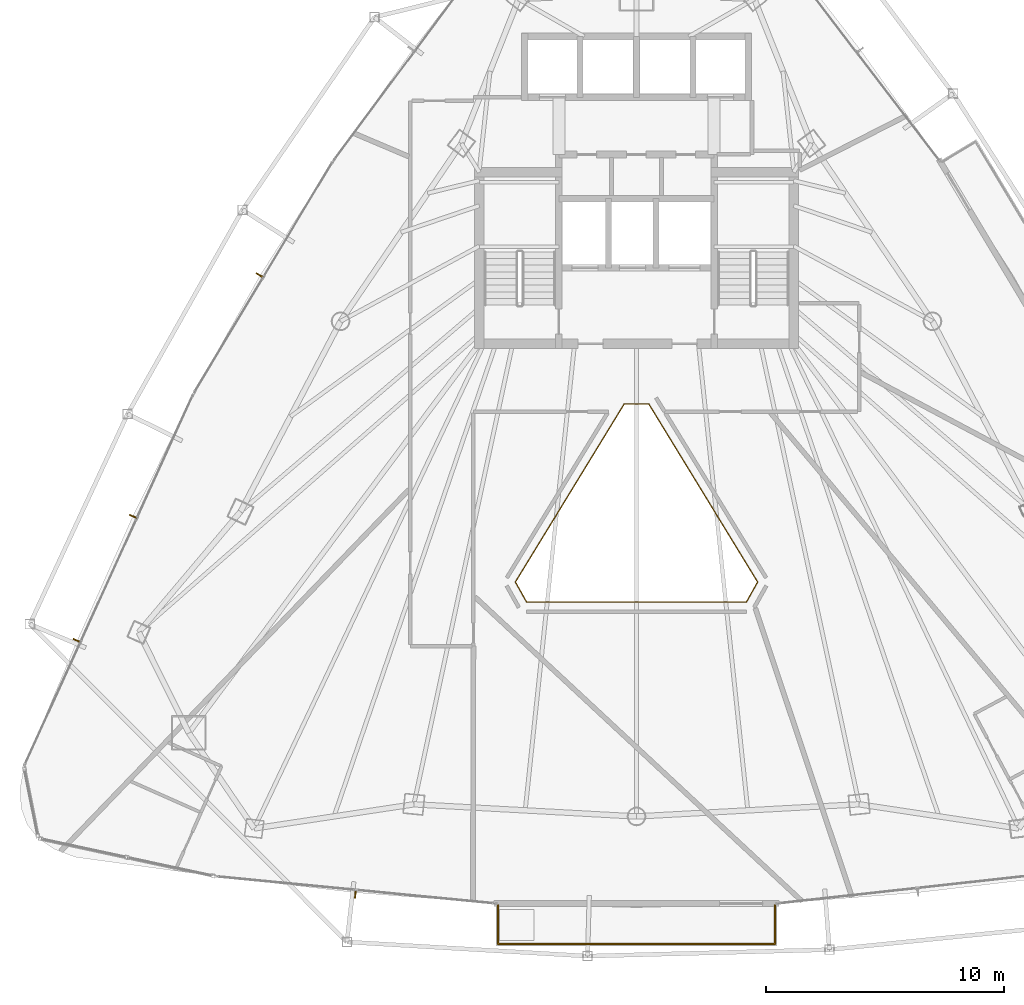
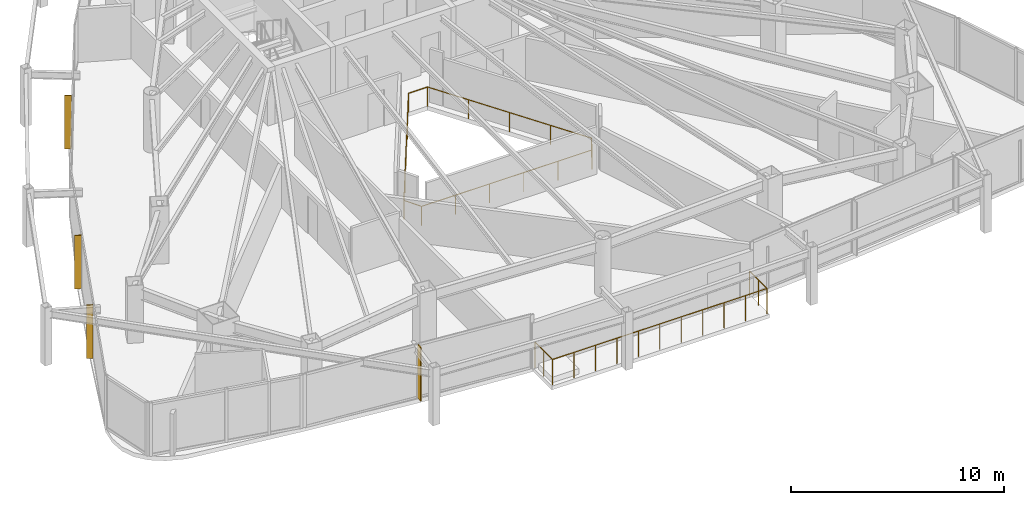
# One storey, part 29 of 31: 4 shading devices, 2 railings.
"""IFC4 building model written with IfcOpenShell, lengths in metres."""

from ifc_helpers import new_model, si_unit, direction, frame, origin, origin_2d, place, context, subcontext, project, spatial, rectangle, circle, extrude, material, layer, layer_set, type_object, element, save


model = new_model("IFC4")

# Units and contexts
model_context = context("Model", 3, precision=1e-05, world=origin(), true_north=direction((0.0, 1.0)))
body_context = subcontext(model_context, "Body", "Model", "MODEL_VIEW")
ifc_project = project(units=[si_unit("LENGTHUNIT", "METRE"), si_unit("AREAUNIT", "SQUARE_METRE"), si_unit("VOLUMEUNIT", "CUBIC_METRE"), si_unit("PLANEANGLEUNIT", "RADIAN"), si_unit("MASSUNIT", "GRAM", prefix="KILO")], contexts=[model_context])

# Site, building, storey
site_placement = place(None, origin())
site = spatial("IfcSite", under=ifc_project, at=site_placement, CompositionType="ELEMENT")
building_placement = place(site_placement, origin())
building = spatial("IfcBuilding", under=site, at=building_placement, Name="Orvanel Arch Residences", CompositionType="ELEMENT")
storey_placement = place(building_placement, frame((0.0, 0.0, 126.5)))
storey = spatial("IfcBuildingStorey", under=building, at=storey_placement, Name="L35", CompositionType="ELEMENT", Elevation=126.5)

# Shading devices
ifc_material = material(Name="Bronze-anodised aluminium AA6063-T6", Category="aluminium")
ifc_layer = layer(ifc_material, 0.054931640625)
ifc_layer_set = layer_set([ifc_layer], Name="Bronze-anodised aluminium AA6063-T6")
shading_device_type = type_object("IfcShadingDeviceType", Name="FIN-BRZ-320", PredefinedType="USERDEFINED", material=ifc_layer_set)
for number, where, z_axis, x_axis, name in (
    (1, (17.162109375, 29.58203125, 0.0), (0.0, 0.0, 1.0), (-0.857167300702, 0.51503807491, 0.0), "L35 Anodised Bronze Mullion FIN 01"),
    (2, (11.843994140625, 19.448974609375, 0.0), (0.0, 0.0, 1.0), (-0.910683660806, 0.413104429825, 0.0), "L35 Anodised Bronze Mullion FIN 01"),
    (3, (9.47509765625, 14.239013671875, 0.0), (0.0, 0.0, 1.0), (-0.910683660806, 0.413104429825, 0.0), "L35 Anodised Bronze Mullion FIN 02"),
    (4, (21.19189453125, 3.570068359375, 0.0), (0.0, 0.0, 1.0), (-0.09584575252, -0.995396198367, 0.0), "L35 Anodised Bronze Mullion FIN 01"),
):
    element("IfcShadingDevice", number, at=place(storey_placement, frame(where, z_axis=z_axis, x_axis=x_axis)), inside=storey, type_object=shading_device_type, Name=name, ObjectType="FIN", PredefinedType="USERDEFINED", context=body_context, shape_type="SweptSolid", body=[
        extrude(rectangle(XDim=0.320068359375, YDim=0.054931640625, at=origin_2d()), origin(), (0.0, 0.0, 1.0), 3.06005859375),
    ])

# Railings
railing_type_1 = type_object("IfcRailingType", Name="RL-ATR-1120", PredefinedType="BALUSTRADE", material=ifc_material)
railing_1_placement = place(storey_placement, frame((33.514892578125, 24.1689453125, 0.0)))
element("IfcRailing", 5, at=railing_1_placement, inside=storey, type_object=railing_type_1, Name="L35 Atrium Void Protective Balustrade", PredefinedType="BALUSTRADE", context=body_context, shape_type="SweptSolid", body=[
    extrude(circle(Radius=0.02392578125, at=origin_2d()), frame((-0.00146484375, 0.0, 1.09619140625), z_axis=(-1.0, 0.0, 0.0), x_axis=(0.0, -1.0, 0.0)), (0.0, 0.0, 1.0), 1.02685546875),
    extrude(circle(Radius=0.02392578125, at=origin_2d()), frame((-1.030517578125, -0.001220703125, 1.09619140625), z_axis=(-0.521594240044, -0.853193675992, 0.0), x_axis=(0.853193675992, -0.521594240044, 0.0)), (0.0, 0.0, 1.0), 8.760498046875),
    extrude(circle(Radius=0.02392578125, at=origin_2d()), frame((-5.60009765625, -7.478271484375, 1.09619140625), z_axis=(0.488580278854, -0.872518945992, 0.0), x_axis=(0.872518945992, 0.488580278854, 0.0)), (0.0, 0.0, 1.0), 0.962890625),
    extrude(circle(Radius=0.02392578125, at=origin_2d()), frame((-5.12744140625, -8.31982421875, 1.09619140625), z_axis=(1.0, 0.0, 0.0), x_axis=(0.0, 1.0, 0.0)), (0.0, 0.0, 1.0), 9.22509765625),
    extrude(circle(Radius=0.02392578125, at=origin_2d()), frame((4.099853515625, -8.318603515625, 1.09619140625), z_axis=(0.488580278854, 0.872518945992, 0.0), x_axis=(-0.872518945992, 0.488580278854, 0.0)), (0.0, 0.0, 1.0), 0.962890625),
    extrude(circle(Radius=0.02392578125, at=origin_2d()), frame((4.5703125, -7.475830078125, 1.09619140625), z_axis=(-0.521594240044, 0.853193675992, 0.0), x_axis=(-0.853193675992, -0.521594240044, 0.0)), (0.0, 0.0, 1.0), 8.760498046875),
    extrude(circle(Radius=0.02099609375, at=origin_2d()), origin(), (0.0, 0.0, 1.0), 1.070068359375),
    extrude(circle(Radius=0.02099609375, at=origin_2d()), frame((-1.02978515625, 0.0, 0.0)), (0.0, 0.0, 1.0), 1.070068359375),
    extrude(circle(Radius=0.02099609375, at=origin_2d()), frame((-2.172607421875, -1.869140625, 0.0)), (0.0, 0.0, 1.0), 1.070068359375),
    extrude(circle(Radius=0.02099609375, at=origin_2d()), frame((-3.3154296875, -3.738525390625, 0.0)), (0.0, 0.0, 1.0), 1.070068359375),
    extrude(circle(Radius=0.02099609375, at=origin_2d()), frame((-4.4580078125, -5.60791015625, 0.0)), (0.0, 0.0, 1.0), 1.070068359375),
    extrude(circle(Radius=0.02099609375, at=origin_2d()), frame((-5.600830078125, -7.47705078125, 0.0)), (0.0, 0.0, 1.0), 1.070068359375),
    extrude(circle(Radius=0.02099609375, at=origin_2d()), frame((-5.12890625, -8.31982421875, 0.0)), (0.0, 0.0, 1.0), 1.070068359375),
    extrude(circle(Radius=0.02099609375, at=origin_2d()), frame((-3.283203125, -8.31982421875, 0.0)), (0.0, 0.0, 1.0), 1.070068359375),
    extrude(circle(Radius=0.02099609375, at=origin_2d()), frame((-1.437744140625, -8.31982421875, 0.0)), (0.0, 0.0, 1.0), 1.070068359375),
    extrude(circle(Radius=0.02099609375, at=origin_2d()), frame((0.407958984375, -8.31982421875, 0.0)), (0.0, 0.0, 1.0), 1.070068359375),
    extrude(circle(Radius=0.02099609375, at=origin_2d()), frame((2.25341796875, -8.31982421875, 0.0)), (0.0, 0.0, 1.0), 1.070068359375),
    extrude(circle(Radius=0.02099609375, at=origin_2d()), frame((4.09912109375, -8.31982421875, 0.0)), (0.0, 0.0, 1.0), 1.070068359375),
    extrude(circle(Radius=0.02099609375, at=origin_2d()), frame((4.571044921875, -7.47705078125, 0.0)), (0.0, 0.0, 1.0), 1.070068359375),
    extrude(circle(Radius=0.02099609375, at=origin_2d()), frame((3.42822265625, -5.60791015625, 0.0)), (0.0, 0.0, 1.0), 1.070068359375),
    extrude(circle(Radius=0.02099609375, at=origin_2d()), frame((2.28564453125, -3.738525390625, 0.0)), (0.0, 0.0, 1.0), 1.070068359375),
    extrude(circle(Radius=0.02099609375, at=origin_2d()), frame((1.142822265625, -1.869140625, 0.0)), (0.0, 0.0, 1.0), 1.070068359375),
])
railing_type_2 = type_object("IfcRailingType", Name="RL-BAL-1480", PredefinedType="BALUSTRADE", material=ifc_material)
railing_2_placement = place(storey_placement, frame((27.18505859375, 3.125, 0.0)))
element("IfcRailing", 6, at=railing_2_placement, inside=storey, type_object=railing_type_2, Name="L35 Balcony Perimeter Guardrail Face 2", PredefinedType="BALUSTRADE", context=body_context, shape_type="SweptSolid", body=[
    extrude(circle(Radius=0.02392578125, at=origin_2d()), frame((0.0, -0.00146484375, 1.4560546875), z_axis=(0.0, -1.0, 0.0), x_axis=(1.0, 0.0, 0.0)), (0.0, 0.0, 1.0), 1.636962890625),
    extrude(circle(Radius=0.02392578125, at=origin_2d()), frame((0.00146484375, -1.639892578125, 1.4560546875), z_axis=(1.0, 0.0, 0.0), x_axis=(0.0, 1.0, 0.0)), (0.0, 0.0, 1.0), 11.626953125),
    extrude(circle(Radius=0.02392578125, at=origin_2d()), frame((11.6298828125, -1.638427734375, 1.4560546875), z_axis=(0.0, 1.0, 0.0), x_axis=(-1.0, 0.0, 0.0)), (0.0, 0.0, 1.0), 1.636962890625),
    extrude(circle(Radius=0.02099609375, at=origin_2d()), origin(), (0.0, 0.0, 1.0), 1.429931640625),
    extrude(circle(Radius=0.02099609375, at=origin_2d()), frame((0.0, -0.81982421875, 0.0)), (0.0, 0.0, 1.0), 1.429931640625),
    extrude(circle(Radius=0.02099609375, at=origin_2d()), frame((0.0, -1.639892578125, 0.0)), (0.0, 0.0, 1.0), 1.429931640625),
    extrude(circle(Radius=0.02099609375, at=origin_2d()), frame((1.1630859375, -1.639892578125, 0.0)), (0.0, 0.0, 1.0), 1.429931640625),
    extrude(circle(Radius=0.02099609375, at=origin_2d()), frame((2.325927734375, -1.639892578125, 0.0)), (0.0, 0.0, 1.0), 1.429931640625),
    extrude(circle(Radius=0.02099609375, at=origin_2d()), frame((3.489013671875, -1.639892578125, 0.0)), (0.0, 0.0, 1.0), 1.429931640625),
    extrude(circle(Radius=0.02099609375, at=origin_2d()), frame((4.65185546875, -1.639892578125, 0.0)), (0.0, 0.0, 1.0), 1.429931640625),
    extrude(circle(Radius=0.02099609375, at=origin_2d()), frame((5.81494140625, -1.639892578125, 0.0)), (0.0, 0.0, 1.0), 1.429931640625),
    extrude(circle(Radius=0.02099609375, at=origin_2d()), frame((6.97802734375, -1.639892578125, 0.0)), (0.0, 0.0, 1.0), 1.429931640625),
    extrude(circle(Radius=0.02099609375, at=origin_2d()), frame((8.140869140625, -1.639892578125, 0.0)), (0.0, 0.0, 1.0), 1.429931640625),
    extrude(circle(Radius=0.02099609375, at=origin_2d()), frame((9.303955078125, -1.639892578125, 0.0)), (0.0, 0.0, 1.0), 1.429931640625),
    extrude(circle(Radius=0.02099609375, at=origin_2d()), frame((10.466796875, -1.639892578125, 0.0)), (0.0, 0.0, 1.0), 1.429931640625),
    extrude(circle(Radius=0.02099609375, at=origin_2d()), frame((11.6298828125, -1.639892578125, 0.0)), (0.0, 0.0, 1.0), 1.429931640625),
    extrude(circle(Radius=0.02099609375, at=origin_2d()), frame((11.6298828125, -0.81982421875, 0.0)), (0.0, 0.0, 1.0), 1.429931640625),
    extrude(circle(Radius=0.02099609375, at=origin_2d()), frame((11.6298828125, 0.0, 0.0)), (0.0, 0.0, 1.0), 1.429931640625),
])

save(model, "model.ifc")
